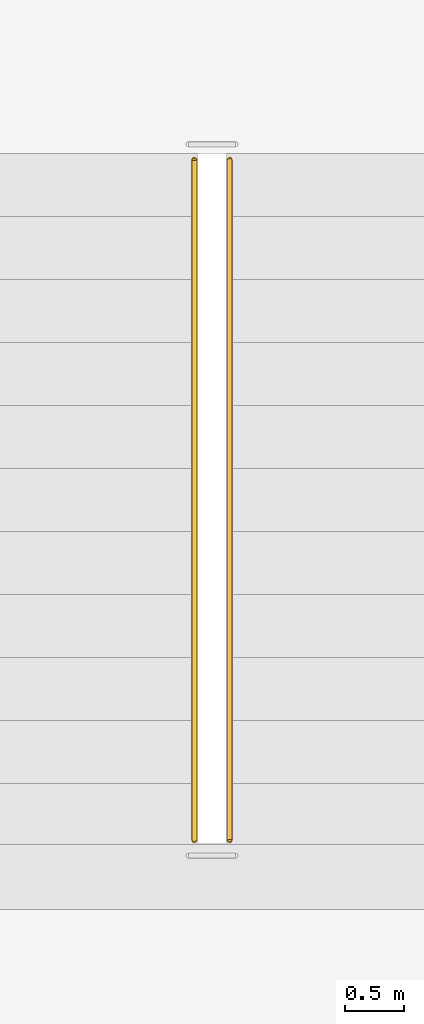
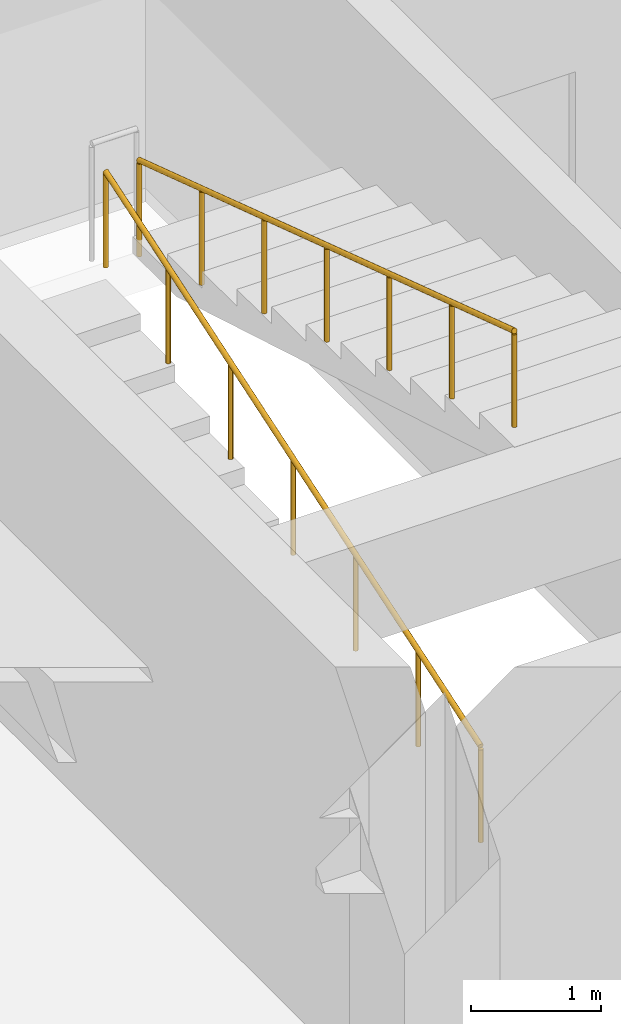
# One storey, part 19 of 21: 2 railings.
"""IFC4 building model written with IfcOpenShell, lengths in metres."""

from ifc_helpers import new_model, si_unit, direction, frame, origin, origin_2d, place, context, subcontext, project, spatial, circle, extrude, material, layer, layer_set, type_object, element, save


model = new_model("IFC4")

# Units and contexts
model_context = context("Model", 3, precision=1e-05, world=origin(), true_north=direction((0.0, 1.0)))
body_context = subcontext(model_context, "Body", "Model", "MODEL_VIEW")
ifc_project = project(units=[si_unit("LENGTHUNIT", "METRE"), si_unit("AREAUNIT", "SQUARE_METRE"), si_unit("VOLUMEUNIT", "CUBIC_METRE"), si_unit("PLANEANGLEUNIT", "RADIAN"), si_unit("MASSUNIT", "GRAM", prefix="KILO")], contexts=[model_context])

# Site, building, storey
site_placement = place(None, origin())
site = spatial("IfcSite", under=ifc_project, at=site_placement, CompositionType="ELEMENT")
building_placement = place(site_placement, origin())
building = spatial("IfcBuilding", under=site, at=building_placement, Name="Girod Span Mobility Hub", CompositionType="ELEMENT")
storey_placement = place(building_placement, frame((0.0, 0.0, 17.199951171875)))
storey = spatial("IfcBuildingStorey", under=building, at=storey_placement, Name="L04", CompositionType="ELEMENT", Elevation=17.199951171875)

# Railings
ifc_material = material(Name="Painted Galvanised Steel", Category="steel")
ifc_layer = layer(ifc_material, 0.050048828125)
ifc_layer_set = layer_set([ifc_layer], Name="Painted Galvanised Steel")
railing_type = type_object("IfcRailingType", Name="RL-HR-920", PredefinedType="HANDRAIL", material=ifc_layer_set)
railing_1_placement = place(storey_placement, frame((110.14990234375, 59.860107421875, 0.0)))
element("IfcRailing", 1, at=railing_1_placement, inside=storey, type_object=railing_type, Name="Stair ST-2 Flight 1 Handrail L04", PredefinedType="HANDRAIL", context=body_context, shape_type="SweptSolid", body=[
    extrude(circle(Radius=0.02392578125, at=origin_2d()), frame((0.0, 0.0, 0.89599609375), z_axis=(0.0, 0.949979375482, 0.31231264169), x_axis=(-1.0, 0.0, 0.0)), (0.0, 0.0, 1.0), 6.084228515625),
    extrude(circle(Radius=0.02099609375, at=origin_2d()), origin(), (0.0, 0.0, 1.0), 0.871826171875),
    extrude(circle(Radius=0.02099609375, at=origin_2d()), frame((0.0, 0.96337890625, 0.316650390625)), (0.0, 0.0, 1.0), 0.871826171875),
    extrude(circle(Radius=0.02099609375, at=origin_2d()), frame((0.0, 1.926513671875, 0.63330078125)), (0.0, 0.0, 1.0), 0.871826171875),
    extrude(circle(Radius=0.02099609375, at=origin_2d()), frame((0.0, 2.889892578125, 0.9501953125)), (0.0, 0.0, 1.0), 0.871826171875),
    extrude(circle(Radius=0.02099609375, at=origin_2d()), frame((0.0, 3.853271484375, 1.266845703125)), (0.0, 0.0, 1.0), 0.871826171875),
    extrude(circle(Radius=0.02099609375, at=origin_2d()), frame((0.0, 4.81640625, 1.58349609375)), (0.0, 0.0, 1.0), 0.871826171875),
    extrude(circle(Radius=0.02099609375, at=origin_2d()), frame((0.0, 5.77978515625, 1.900146484375)), (0.0, 0.0, 1.0), 0.871826171875),
])
railing_2_placement = place(storey_placement, frame((110.449951171875, 65.639892578125, 1.900146484375)))
element("IfcRailing", 2, at=railing_2_placement, inside=storey, type_object=railing_type, Name="Stair ST-2 Flight 2 Handrail L04", PredefinedType="HANDRAIL", context=body_context, shape_type="SweptSolid", body=[
    extrude(circle(Radius=0.02392578125, at=origin_2d()), frame((0.0, 0.0, 0.89599609375), z_axis=(0.0, -0.949991280403, 0.312276427477), x_axis=(1.0, 0.0, 0.0)), (0.0, 0.0, 1.0), 6.083984375),
    extrude(circle(Radius=0.02099609375, at=origin_2d()), origin(), (0.0, 0.0, 1.0), 0.871826171875),
    extrude(circle(Radius=0.02099609375, at=origin_2d()), frame((0.0, -0.96337890625, 0.316650390625)), (0.0, 0.0, 1.0), 0.871826171875),
    extrude(circle(Radius=0.02099609375, at=origin_2d()), frame((0.0, -1.926513671875, 0.63330078125)), (0.0, 0.0, 1.0), 0.871826171875),
    extrude(circle(Radius=0.02099609375, at=origin_2d()), frame((0.0, -2.889892578125, 0.949951171875)), (0.0, 0.0, 1.0), 0.871826171875),
    extrude(circle(Radius=0.02099609375, at=origin_2d()), frame((0.0, -3.853271484375, 1.2666015625)), (0.0, 0.0, 1.0), 0.871826171875),
    extrude(circle(Radius=0.02099609375, at=origin_2d()), frame((0.0, -4.81640625, 1.583251953125)), (0.0, 0.0, 1.0), 0.871826171875),
    extrude(circle(Radius=0.02099609375, at=origin_2d()), frame((0.0, -5.77978515625, 1.89990234375)), (0.0, 0.0, 1.0), 0.871826171875),
])

save(model, "model.ifc")
